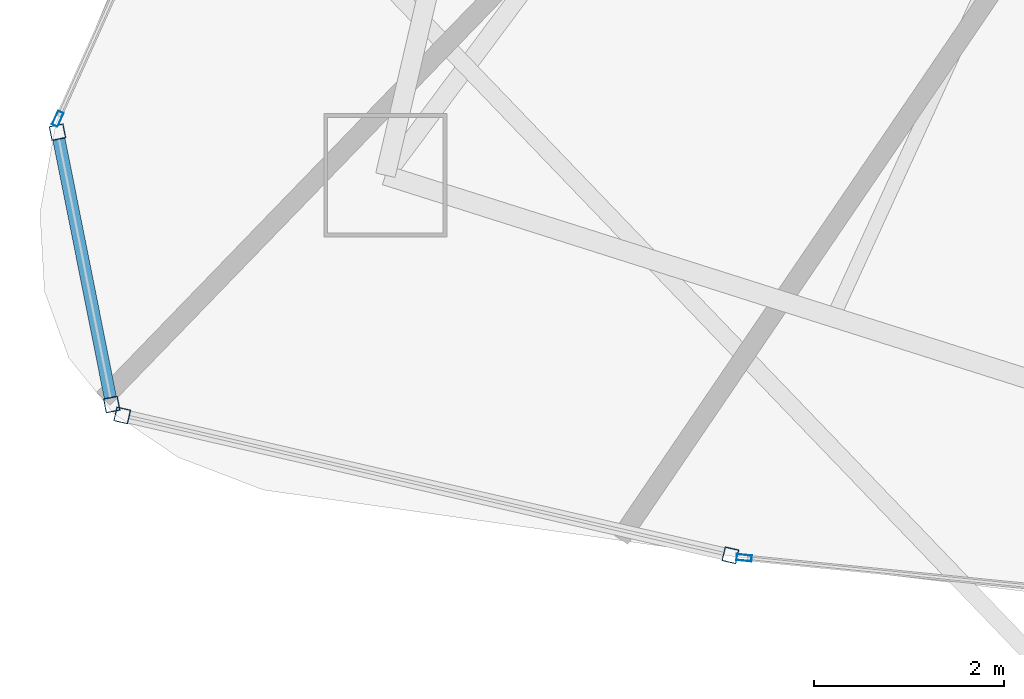
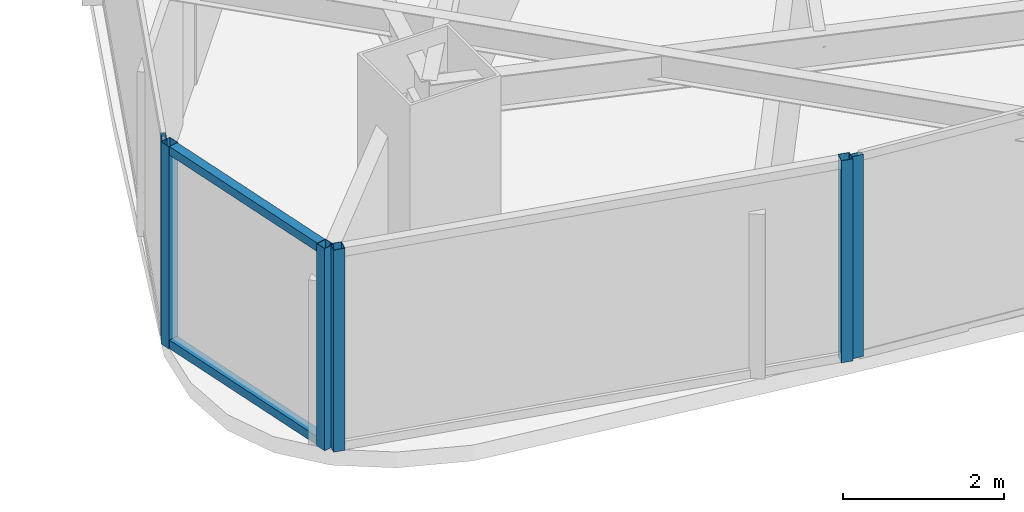
# One storey, part 2 of 30: 8 members, 4 elements without a shape of their own.
"""IFC4 building model written with IfcOpenShell, lengths in metres."""

from ifc_helpers import new_model, si_unit, direction, frame, origin, origin_2d, place, context, subcontext, project, spatial, hollow_rectangle, extrude, material, layer, layer_set, material_profile, profile_set, type_object, element, aggregate, save


model = new_model("IFC4")

# Units and contexts
model_context = context("Model", 3, precision=1e-05, world=origin(), true_north=direction((0.0, 1.0)))
body_context = subcontext(model_context, "Body", "Model", "MODEL_VIEW")
ifc_project = project(units=[si_unit("LENGTHUNIT", "METRE"), si_unit("AREAUNIT", "SQUARE_METRE"), si_unit("VOLUMEUNIT", "CUBIC_METRE"), si_unit("PLANEANGLEUNIT", "RADIAN"), si_unit("MASSUNIT", "GRAM", prefix="KILO")], contexts=[model_context])

# Site, building, storey
site_placement = place(None, origin())
site = spatial("IfcSite", under=ifc_project, at=site_placement, CompositionType="ELEMENT")
building_placement = place(site_placement, origin())
building = spatial("IfcBuilding", under=site, at=building_placement, Name="Orvanel Arch Residences", CompositionType="ELEMENT")
storey_placement = place(building_placement, frame((0.0, 0.0, 240.35009765625)))
storey = spatial("IfcBuildingStorey", under=building, at=storey_placement, Name="L68", CompositionType="ELEMENT", Elevation=240.35009765625)

# Curtain wall, members
ifc_material = material(Name="Bronze-anodised aluminium AA6063-T6", Category="aluminium")
ifc_layer_1 = layer(ifc_material, 0.18994140625)
ifc_layer_set_1 = layer_set([ifc_layer_1], Name="Bronze-anodised aluminium AA6063-T6")
curtain_wall_type_1 = type_object("IfcCurtainWallType", Name="CW5-CRN-SYS", PredefinedType="NOTDEFINED", material=ifc_layer_set_1)
curtain_wall_1_placement = place(storey_placement, origin())
curtain_wall_1 = element("IfcCurtainWall", 1, at=curtain_wall_1_placement, inside=storey, type_object=curtain_wall_type_1, Name="L68 CW5-CRN-SYS Unitised Curtain Wall", PredefinedType="NOTDEFINED")
ifc_material_profile_1 = material_profile(ifc_material, hollow_rectangle(XDim=0.14990234375, YDim=0.14990234375, WallThickness=0.0048828125, at=origin_2d()), Name="ALU150x150x5")
ifc_profile_set_1 = profile_set([ifc_material_profile_1], Name="Bronze-anodised aluminium AA6063-T6")
member_type_1 = type_object("IfcMemberType", Name="MUL-150x150", PredefinedType="MULLION", material=ifc_profile_set_1)
member_1_placement = place(storey_placement, frame((10.73876953125, 10.805419921875, 0.0), z_axis=(0.0, 0.0, 1.0), x_axis=(0.980730172854, 0.195367162167, 0.0)))
member_1 = element("IfcMember", 2, at=member_1_placement, type_object=member_type_1, Name="CW-S5 mullion 1", PredefinedType="MULLION", context=body_context, shape_type="SweptSolid", body=[
    extrude(hollow_rectangle(XDim=0.14990234375, YDim=0.14990234375, WallThickness=0.0048828125, at=origin_2d()), origin(), (0.0, 0.0, 1.0), 3.059814453125),
])
member_2_placement = place(storey_placement, frame((11.311279296875, 7.9306640625, 0.0), z_axis=(0.0, 0.0, 1.0), x_axis=(0.980730172854, 0.195367162167, 0.0)))
member_2 = element("IfcMember", 3, at=member_2_placement, type_object=member_type_1, Name="CW-S5 mullion 2", PredefinedType="MULLION", context=body_context, shape_type="SweptSolid", body=[
    extrude(hollow_rectangle(XDim=0.14990234375, YDim=0.14990234375, WallThickness=0.0048828125, at=origin_2d()), origin(), (0.0, 0.0, 1.0), 3.059814453125),
])

curtain_wall_2_placement = place(storey_placement, origin())
curtain_wall_2 = element("IfcCurtainWall", 4, at=curtain_wall_2_placement, inside=storey, type_object=curtain_wall_type_1, Name="L68 CW5-CRN-SYS Unitised Curtain Wall", PredefinedType="NOTDEFINED")
member_3_placement = place(storey_placement, frame((11.422119140625, 7.816162109375, 0.0), z_axis=(0.0, 0.0, 1.0), x_axis=(0.224154742337, 0.974553565223, 0.0)))
member_3 = element("IfcMember", 5, at=member_3_placement, type_object=member_type_1, Name="CW-S5 mullion 1", PredefinedType="MULLION", context=body_context, shape_type="SweptSolid", body=[
    extrude(hollow_rectangle(XDim=0.14990234375, YDim=0.14990234375, WallThickness=0.0048828125, at=origin_2d()), origin(), (0.0, 0.0, 1.0), 3.059814453125),
])
member_4_placement = place(storey_placement, frame((17.8408203125, 6.33984375, 0.0), z_axis=(0.0, 0.0, 1.0), x_axis=(0.224154742337, 0.974553565223, 0.0)))
member_4 = element("IfcMember", 6, at=member_4_placement, type_object=member_type_1, Name="CW-S5 mullion 2", PredefinedType="MULLION", context=body_context, shape_type="SweptSolid", body=[
    extrude(hollow_rectangle(XDim=0.14990234375, YDim=0.14990234375, WallThickness=0.0048828125, at=origin_2d()), origin(), (0.0, 0.0, 1.0), 3.059814453125),
])
aggregate(curtain_wall_2, [member_3, member_4])

# Curtain wall, member
ifc_layer_2 = layer(ifc_material, 0.175048828125)
ifc_layer_set_2 = layer_set([ifc_layer_2], Name="Bronze-anodised aluminium AA6063-T6")
curtain_wall_type_2 = type_object("IfcCurtainWallType", Name="CW4-HI-SYS", PredefinedType="NOTDEFINED", material=ifc_layer_set_2)
curtain_wall_3_placement = place(storey_placement, origin())
curtain_wall_3 = element("IfcCurtainWall", 7, at=curtain_wall_3_placement, inside=storey, type_object=curtain_wall_type_2, Name="L68 CW4-HI-SYS Unitised Curtain Wall", PredefinedType="NOTDEFINED")
ifc_material_profile_2 = material_profile(ifc_material, hollow_rectangle(XDim=0.06494140625, YDim=0.159912109375, WallThickness=0.00390625, at=origin_2d()), Name="ALU160x65x4")
ifc_profile_set_2 = profile_set([ifc_material_profile_2], Name="Bronze-anodised aluminium AA6063-T6")
member_type_2 = type_object("IfcMemberType", Name="MUL-160x65", PredefinedType="MULLION", material=ifc_profile_set_2)
member_5_placement = place(storey_placement, frame((10.741455078125, 10.946533203125, 0.0), z_axis=(0.0, 0.0, 1.0), x_axis=(0.911827998826, -0.410572405987, 0.0)))
member_5 = element("IfcMember", 8, at=member_5_placement, type_object=member_type_2, Name="CW-S4 mullion 3", PredefinedType="MULLION", context=body_context, shape_type="SweptSolid", body=[
    extrude(hollow_rectangle(XDim=0.06494140625, YDim=0.159912109375, WallThickness=0.00390625, at=origin_2d()), origin(), (0.0, 0.0, 1.0), 3.059814453125),
])
aggregate(curtain_wall_3, [member_5])

curtain_wall_4_placement = place(storey_placement, origin())
curtain_wall_4 = element("IfcCurtainWall", 9, at=curtain_wall_4_placement, inside=storey, type_object=curtain_wall_type_2, Name="L68 CW4-HI-SYS Unitised Curtain Wall", PredefinedType="NOTDEFINED")
member_6_placement = place(storey_placement, frame((17.9853515625, 6.313720703125, 0.0), z_axis=(0.0, 0.0, 1.0), x_axis=(0.099356011792, 0.99505194986, 0.0)))
member_6 = element("IfcMember", 10, at=member_6_placement, type_object=member_type_2, Name="CW-S4 mullion 1", PredefinedType="MULLION", context=body_context, shape_type="SweptSolid", body=[
    extrude(hollow_rectangle(XDim=0.06494140625, YDim=0.159912109375, WallThickness=0.00390625, at=origin_2d()), origin(), (0.0, 0.0, 1.0), 3.059814453125),
])
aggregate(curtain_wall_4, [member_6])

# Member
ifc_material_profile_3 = material_profile(ifc_material, hollow_rectangle(XDim=0.1298828125, YDim=0.1298828125, WallThickness=0.00439453125, at=origin_2d()), Name="ALU130x130x4.5")
ifc_profile_set_3 = profile_set([ifc_material_profile_3], Name="Bronze-anodised aluminium AA6063-T6")
member_type_3 = type_object("IfcMemberType", Name="TRN-130x130", PredefinedType="USERDEFINED", material=ifc_profile_set_3)
member_7_placement = place(storey_placement, frame((10.75341796875, 10.73193359375, 0.06494140625), z_axis=(0.195305810717, -0.980742392425, 0.0), x_axis=(0.980742392425, 0.195305810717, 0.0)))
member_7 = element("IfcMember", 11, at=member_7_placement, type_object=member_type_3, Name="CW-S5 transom 1.1", ObjectType="TRANSOM", PredefinedType="USERDEFINED", context=body_context, shape_type="SweptSolid", body=[
    extrude(hollow_rectangle(XDim=0.1298828125, YDim=0.1298828125, WallThickness=0.00439453125, at=origin_2d()), origin(), (0.0, 0.0, 1.0), 2.78125),
])

member_8_placement = place(storey_placement, frame((10.75341796875, 10.73193359375, 2.994873046875), z_axis=(0.195305810717, -0.980742392425, 0.0), x_axis=(0.980742392425, 0.195305810717, 0.0)))
member_8 = element("IfcMember", 12, at=member_8_placement, type_object=member_type_3, Name="CW-S5 transom 1.2", ObjectType="TRANSOM", PredefinedType="USERDEFINED", context=body_context, shape_type="SweptSolid", body=[
    extrude(hollow_rectangle(XDim=0.1298828125, YDim=0.1298828125, WallThickness=0.00439453125, at=origin_2d()), origin(), (0.0, 0.0, 1.0), 2.78125),
])

aggregate(curtain_wall_1, [member_1, member_2, member_7, member_8])

save(model, "model.ifc")
